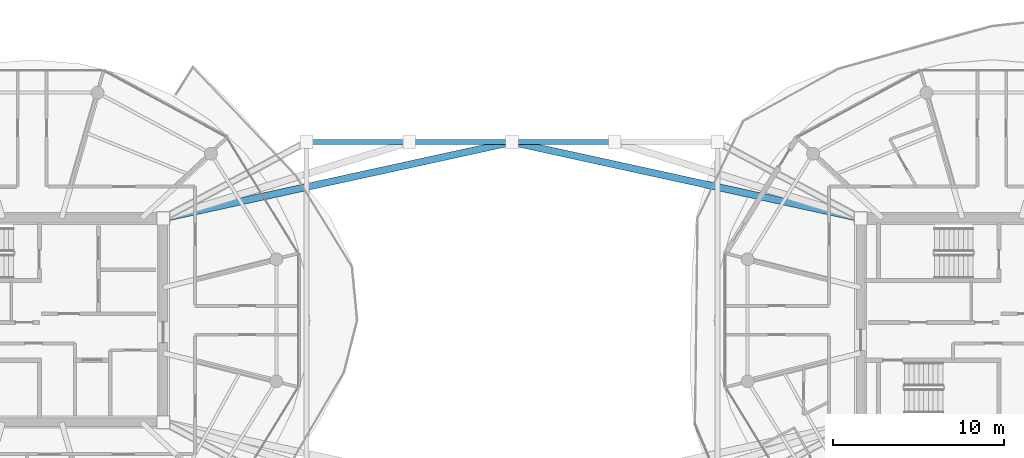
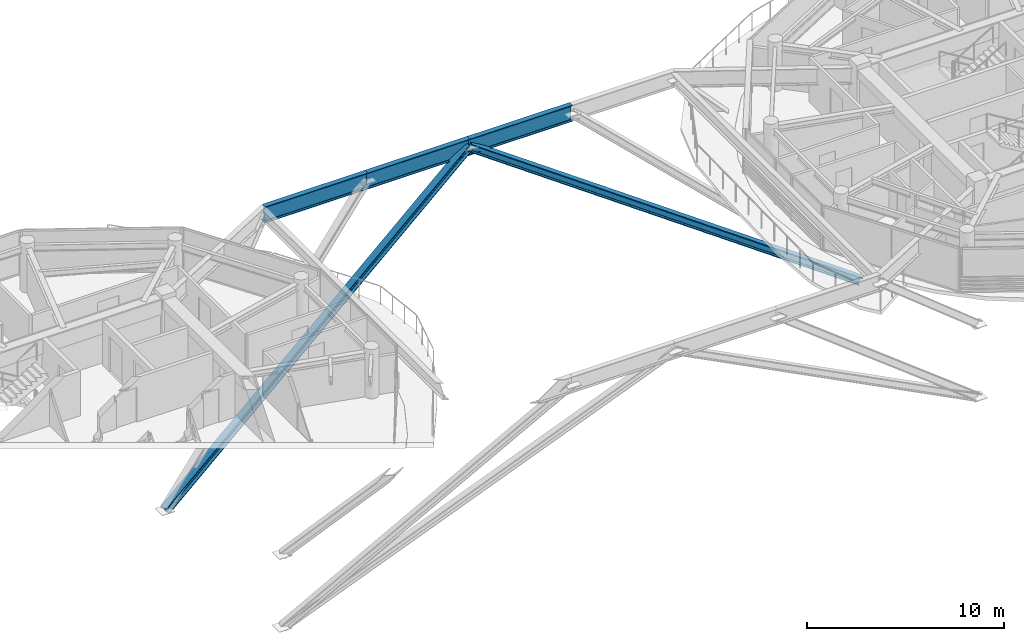
# One storey, part 8 of 23: 3 beams, 2 members.
"""IFC4 building model written with IfcOpenShell, lengths in metres."""

from ifc_helpers import new_model, si_unit, direction, frame, origin, origin_2d, place, context, subcontext, project, spatial, i_section, extrude, source, transform, mapped, material, material_profile, profile_set, type_object, type_shapes, element, save


model = new_model("IFC4")

# Units and contexts
model_context = context("Model", 3, precision=1e-05, world=origin(), true_north=direction((0.0, 1.0)))
body_context = subcontext(model_context, "Body", "Model", "MODEL_VIEW")
ifc_project = project(units=[si_unit("LENGTHUNIT", "METRE"), si_unit("AREAUNIT", "SQUARE_METRE"), si_unit("VOLUMEUNIT", "CUBIC_METRE"), si_unit("PLANEANGLEUNIT", "RADIAN"), si_unit("MASSUNIT", "GRAM", prefix="KILO")], contexts=[model_context])

# Site, building, storey
site_placement = place(None, origin())
site = spatial("IfcSite", under=ifc_project, at=site_placement, CompositionType="ELEMENT")
building_placement = place(site_placement, origin())
building = spatial("IfcBuilding", under=site, at=building_placement, Name="Norrkilde Senior Care Towers", CompositionType="ELEMENT")
storey_placement = place(building_placement, frame((0.0, 0.0, 196.75)))
storey = spatial("IfcBuildingStorey", under=building, at=storey_placement, Name="L61", CompositionType="ELEMENT", Elevation=196.75)

# Beams
ifc_material = material(Name="Steel S355", Category="steel")
ifc_material_profile_1 = material_profile(ifc_material, i_section(OverallWidth=0.300048828125, OverallDepth=1.0, WebThickness=0.01904296875, FlangeThickness=0.035888671875, FilletRadius=0.030029296875, at=origin_2d()), Name="HEB 1000")
ifc_profile_set_1 = profile_set([ifc_material_profile_1], Name="Steel S355")
beam_type = type_object("IfcBeamType", Name="Sky Pool Cantilever Girder HEB1000", PredefinedType="USERDEFINED", material=ifc_profile_set_1)
shared_shape_1 = source(origin(), body_context, "Body", "SweptSolid", [
    extrude(i_section(OverallWidth=0.300048828125, OverallDepth=1.0, WebThickness=0.01904296875, FlangeThickness=0.035888671875, FilletRadius=0.030029296875, at=origin_2d()), origin(), (0.0, 0.0, 1.0), 6.0),
])
type_shapes(beam_type, [shared_shape_1])
for number, where, z_axis, x_axis, name in (
    (1, (-12.0, 10.39990234375, 2.1298828125), (1.0, 0.0, 0.0), (0.0, 1.0, 0.0), "L61 Sky-Gate Bridge Transfer Girder N2"),
    (2, (-6.0, 10.39990234375, 2.1298828125), (1.0, 0.0, 0.0), (0.0, 1.0, 0.0), "L61 Sky-Gate Bridge Transfer Girder N3"),
    (3, (0.0, 10.39990234375, 2.1298828125), (1.0, 0.0, 0.0), (0.0, 1.0, 0.0), "L61 Sky-Gate Bridge Transfer Girder N4"),
):
    element("IfcBeam", number, at=place(storey_placement, frame(where, z_axis=z_axis, x_axis=x_axis)), inside=storey, type_object=beam_type, Name=name, ObjectType="GIRDER", PredefinedType="USERDEFINED", context=body_context, shape_type="MappedRepresentation", body=[
        mapped(shared_shape_1, transform((0.0, 0.0, 0.0), x_axis=(1.0, 0.0, 0.0), y_axis=(0.0, 1.0, 0.0), z_axis=(0.0, 0.0, 1.0), scale=1.0)),
    ])

# Members
ifc_material_profile_2 = material_profile(ifc_material, i_section(OverallWidth=0.412109375, OverallDepth=0.449951171875, WebThickness=0.028076171875, FlangeThickness=0.044921875, FilletRadius=0.014892578125, at=origin_2d()), Name="HD 400x509")
ifc_profile_set_2 = profile_set([ifc_material_profile_2], Name="Steel S355")
member_type = type_object("IfcMemberType", Name="Pratt Bridge Truss Diagonal HD400x509", PredefinedType="BRACE", material=ifc_profile_set_2)
shared_shape_2 = source(origin(), body_context, "Body", "SweptSolid", [
    extrude(i_section(OverallWidth=0.412109375, OverallDepth=0.449951171875, WebThickness=0.028076171875, FlangeThickness=0.044921875, FilletRadius=0.014892578125, at=origin_2d()), origin(), (0.0, 0.0, 1.0), 24.412841796875),
])
type_shapes(member_type, [shared_shape_2])
for number, where, z_axis, x_axis, name in (
    (4, (-20.35009765625, 5.949951171875, -10.60009765625), (0.833585806424, 0.18228001648, 0.521448654156), (-0.21362207932, 0.976916376783, 0.0), "L61 Sky-Gate Portal Arch Strut N-W00"),
    (5, (20.35009765625, 5.949951171875, -10.60009765625), (-0.833585806424, 0.18228001648, 0.521448654156), (-0.21362207932, -0.976916376783, 0.0), "L61 Sky-Gate Portal Arch Strut N-E00"),
):
    element("IfcMember", number, at=place(storey_placement, frame(where, z_axis=z_axis, x_axis=x_axis)), inside=storey, type_object=member_type, Name=name, PredefinedType="BRACE", context=body_context, shape_type="MappedRepresentation", body=[
        mapped(shared_shape_2, transform((0.0, 0.0, 0.0), x_axis=(1.0, 0.0, 0.0), y_axis=(0.0, 1.0, 0.0), z_axis=(0.0, 0.0, 1.0), scale=1.0)),
    ])

save(model, "model.ifc")
